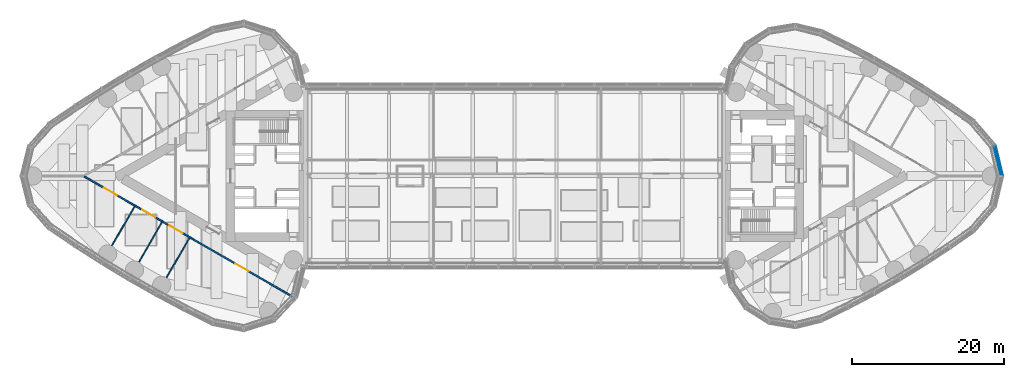
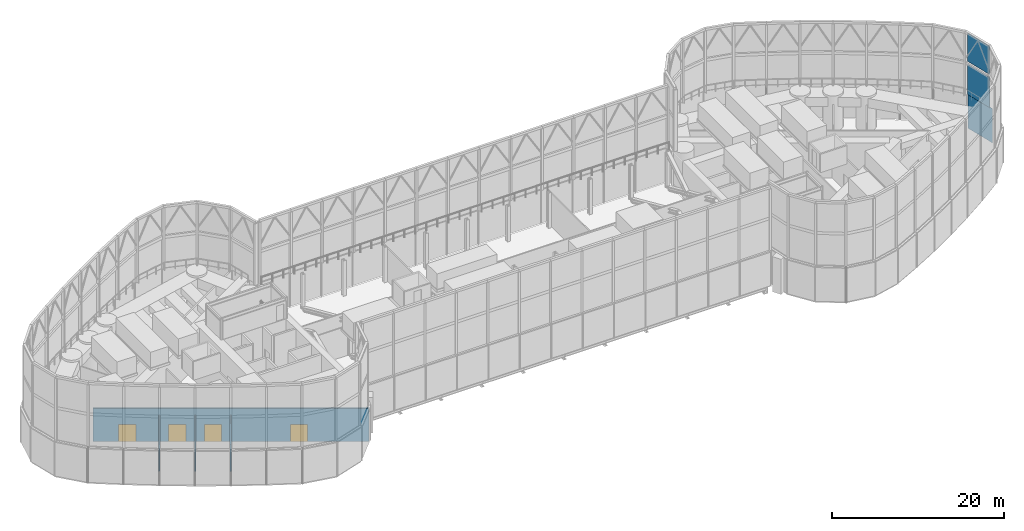
# One storey, part 26 of 33: 4 doors, 4 walls, 3 plates, 4 openings, 2 elements without a shape of their own.
"""IFC4 building model written with IfcOpenShell, lengths in metres."""

from ifc_helpers import new_model, si_unit, direction, frame, frame_2d, origin, origin_2d, place, context, subcontext, project, spatial, rectangle, extrude, material, layer, layer_set, type_object, element, fill, aggregate, save


model = new_model("IFC4")

# Units and contexts
model_context = context("Model", 3, precision=1e-05, world=origin(), true_north=direction((0.0, 1.0)))
body_context = subcontext(model_context, "Body", "Model", "MODEL_VIEW")
ifc_project = project(units=[si_unit("LENGTHUNIT", "METRE"), si_unit("AREAUNIT", "SQUARE_METRE"), si_unit("VOLUMEUNIT", "CUBIC_METRE"), si_unit("PLANEANGLEUNIT", "RADIAN"), si_unit("MASSUNIT", "GRAM", prefix="KILO")], contexts=[model_context])

# Site, building, storey
site_placement = place(None, origin())
site = spatial("IfcSite", under=ifc_project, at=site_placement, CompositionType="ELEMENT")
building_placement = place(site_placement, origin())
building = spatial("IfcBuilding", under=site, at=building_placement, Name="Lancet Gate Hotel", CompositionType="ELEMENT")
storey_placement = place(building_placement, frame((0.0, 0.0, 268.300048828125)))
storey = spatial("IfcBuildingStorey", under=building, at=storey_placement, Name="L70", CompositionType="ELEMENT", Elevation=268.300048828125)

# Curtain wall, plate
ifc_material_1 = material(Name="Aluminium curtain wall", Category="aluminium")
curtain_wall_type_1 = type_object("IfcCurtainWallType", Name="Lantern crown glazing", PredefinedType="USERDEFINED", material=ifc_material_1)
curtain_wall_1_placement = place(storey_placement, origin())
curtain_wall_1 = element("IfcCurtainWall", 1, at=curtain_wall_1_placement, inside=storey, type_object=curtain_wall_type_1, Name="T2 L70 curtain wall 1", ObjectType="LANTERN GLAZING", PredefinedType="USERDEFINED")
ifc_material_2 = material(Name="Laminated low-iron glass 12-12", Category="glass")
ifc_layer_1 = layer(ifc_material_2, 0.02392578125)
ifc_layer_set_1 = layer_set([ifc_layer_1], Name="Lantern glass panel")
plate_type_1 = type_object("IfcPlateType", Name="Lantern glass panel", PredefinedType="CURTAIN_PANEL", material=ifc_layer_set_1)
plate_1_placement = place(storey_placement, frame((63.598876953125, 2.046875, 0.0), z_axis=(0.0, 0.0, 1.0), x_axis=(-0.233916001796, 0.972256809749, 0.0)))
plate_1 = element("IfcPlate", 2, at=plate_1_placement, type_object=plate_type_1, Name="T2 L70 curtain wall 1 panel 14", PredefinedType="CURTAIN_PANEL", context=body_context, shape_type="SweptSolid", body=[
    extrude(rectangle(XDim=4.1455078125, YDim=0.02392578125, at=origin_2d()), origin(), (0.0, 0.0, 1.0), 4.85009765625),
])
aggregate(curtain_wall_1, [plate_1])

# Curtain wall, plates
ifc_material_3 = material(Name="Steel framed lantern screen", Category="steel")
curtain_wall_type_2 = type_object("IfcCurtainWallType", Name="Lantern screen", PredefinedType="USERDEFINED", material=ifc_material_3)
curtain_wall_2_placement = place(storey_placement, origin())
curtain_wall_2 = element("IfcCurtainWall", 3, at=curtain_wall_2_placement, inside=storey, type_object=curtain_wall_type_2, Name="T2 lantern screen 1", ObjectType="LANTERN SCREEN", PredefinedType="USERDEFINED")
ifc_material_4 = material(Name="Laminated low-iron glass 12-12", Category="glass")
ifc_layer_2 = layer(ifc_material_4, 0.02392578125)
ifc_layer_set_2 = layer_set([ifc_layer_2], Name="Lantern screen glass panel")
plate_type_2 = type_object("IfcPlateType", Name="Lantern screen glass panel", PredefinedType="CURTAIN_PANEL", material=ifc_layer_set_2)
plate_2_placement = place(storey_placement, frame((63.35595703125, 1.98828125, 5.0), z_axis=(0.0, 0.0, 1.0), x_axis=(-0.233916001796, 0.972256809749, 0.0)))
plate_2 = element("IfcPlate", 4, at=plate_2_placement, type_object=plate_type_2, Name="T2 lantern screen 1 glass 14L", PredefinedType="CURTAIN_PANEL", context=body_context, shape_type="SweptSolid", body=[
    extrude(rectangle(XDim=3.787353515625, YDim=0.02392578125, at=origin_2d()), origin(), (0.0, 0.0, 1.0), 4.300048828125),
])
plate_3_placement = place(storey_placement, frame((63.35595703125, 1.98828125, 9.699951171875), z_axis=(0.0, 0.0, 1.0), x_axis=(-0.233916001796, 0.972256809749, 0.0)))
plate_3 = element("IfcPlate", 5, at=plate_3_placement, type_object=plate_type_2, Name="T2 lantern screen 1 glass 14U", PredefinedType="CURTAIN_PANEL", context=body_context, shape_type="SweptSolid", body=[
    extrude(rectangle(XDim=3.787353515625, YDim=0.02392578125, at=origin_2d()), origin(), (0.0, 0.0, 1.0), 4.0),
])
aggregate(curtain_wall_2, [plate_2, plate_3])

# Wall, openings, doors
ifc_material_5 = material(Name="Gypsum board partition")
ifc_layer_3 = layer(ifc_material_5, 0.199951171875)
ifc_layer_set_3 = layer_set([ifc_layer_3], Name="Corridor wall 200")
wall_type_1 = type_object("IfcWallType", Name="Corridor wall 200", PredefinedType="PARTITIONING", material=ifc_layer_set_3)
wall_1_placement = place(storey_placement, frame((-28.737060546875, -16.068359375, 0.0), z_axis=(0.0, 0.0, 1.0), x_axis=(-0.866026220747, 0.499998584977, 0.0)))
wall_1 = element("IfcWall", 6, at=wall_1_placement, inside=storey, type_object=wall_type_1, Name="T1 corridor wall 200 L70", PredefinedType="PARTITIONING", context=body_context, shape_type="SweptSolid", body=[
    extrude(rectangle(XDim=32.0166015625, YDim=0.199951171875, at=frame_2d((16.00830078125, 0.0))), origin(), (0.0, 0.0, 1.0), 4.699951171875),
])
opening_1_placement = place(wall_1_placement, frame((27.066162109375, 0.0, 0.0)))
opening_1 = element("IfcOpeningElement", 7, at=opening_1_placement, cuts=wall_1, Name="Opening T1-L70-K205", PredefinedType="OPENING", context=body_context, shape_type="SweptSolid", body=[
    extrude(rectangle(XDim=2.0, YDim=2.39990234375, at=frame_2d((1.0, 1.199951171875))), frame((0.0, 0.10986328125, 0.0), z_axis=(0.0, -1.0, 0.0), x_axis=(1.0, 0.0, 0.0)), (0.0, 0.0, 1.0), 0.219970703125),
])
opening_2_placement = place(wall_1_placement, frame((21.26611328125, 0.0, 0.0)))
opening_2 = element("IfcOpeningElement", 8, at=opening_2_placement, cuts=wall_1, Name="Opening T1-L70-K206", PredefinedType="OPENING", context=body_context, shape_type="SweptSolid", body=[
    extrude(rectangle(XDim=2.0, YDim=2.39990234375, at=frame_2d((1.0, 1.199951171875))), frame((0.0, 0.10986328125, 0.0), z_axis=(0.0, -1.0, 0.0), x_axis=(1.0, 0.0, 0.0)), (0.0, 0.0, 1.0), 0.219970703125),
])
opening_3_placement = place(wall_1_placement, frame((17.117431640625, 0.0, 0.0)))
opening_3 = element("IfcOpeningElement", 9, at=opening_3_placement, cuts=wall_1, Name="Opening T1-L70-K207", PredefinedType="OPENING", context=body_context, shape_type="SweptSolid", body=[
    extrude(rectangle(XDim=2.0, YDim=2.39990234375, at=frame_2d((1.0, 1.199951171875))), frame((0.0, 0.10986328125, 0.0), z_axis=(0.0, -1.0, 0.0), x_axis=(1.0, 0.0, 0.0)), (0.0, 0.0, 1.0), 0.219970703125),
])
opening_4_placement = place(wall_1_placement, frame((7.1337890625, 0.0, 0.0)))
opening_4 = element("IfcOpeningElement", 10, at=opening_4_placement, cuts=wall_1, Name="Opening T1-L70-K208", PredefinedType="OPENING", context=body_context, shape_type="SweptSolid", body=[
    extrude(rectangle(XDim=2.0, YDim=2.39990234375, at=frame_2d((1.0, 1.199951171875))), frame((0.0, 0.10986328125, 0.0), z_axis=(0.0, -1.0, 0.0), x_axis=(1.0, 0.0, 0.0)), (0.0, 0.0, 1.0), 0.219970703125),
])
ifc_material_6 = material(Name="Timber door set", Category="wood")
door_type = type_object("IfcDoorType", Name="Plant room double door 2000", OperationType="DOUBLE_DOOR_SINGLE_SWING", PredefinedType="DOOR", material=ifc_material_6)
door_1_placement = place(opening_1_placement, origin())
door_1 = element("IfcDoor", 11, at=door_1_placement, inside=storey, type_object=door_type, Name="T1-L70-K205", OperationType="DOUBLE_DOOR_SINGLE_SWING", OverallHeight=2.39990234375, OverallWidth=2.0, PredefinedType="DOOR", context=body_context, shape_type="SweptSolid", body=[
    extrude(rectangle(XDim=2.0, YDim=2.39990234375, at=frame_2d((1.0, 1.199951171875))), frame((0.0, 0.02490234375, 0.0), z_axis=(0.0, -1.0, 0.0), x_axis=(1.0, 0.0, 0.0)), (0.0, 0.0, 1.0), 0.050048828125),
])
fill(opening_1, door_1)
door_2_placement = place(opening_2_placement, origin())
door_2 = element("IfcDoor", 12, at=door_2_placement, inside=storey, type_object=door_type, Name="T1-L70-K206", OperationType="DOUBLE_DOOR_SINGLE_SWING", OverallHeight=2.39990234375, OverallWidth=2.0, PredefinedType="DOOR", context=body_context, shape_type="SweptSolid", body=[
    extrude(rectangle(XDim=2.0, YDim=2.39990234375, at=frame_2d((1.0, 1.199951171875))), frame((0.0, 0.02490234375, 0.0), z_axis=(0.0, -1.0, 0.0), x_axis=(1.0, 0.0, 0.0)), (0.0, 0.0, 1.0), 0.050048828125),
])
fill(opening_2, door_2)
door_3_placement = place(opening_3_placement, origin())
door_3 = element("IfcDoor", 13, at=door_3_placement, inside=storey, type_object=door_type, Name="T1-L70-K207", OperationType="DOUBLE_DOOR_SINGLE_SWING", OverallHeight=2.39990234375, OverallWidth=2.0, PredefinedType="DOOR", context=body_context, shape_type="SweptSolid", body=[
    extrude(rectangle(XDim=2.0, YDim=2.39990234375, at=frame_2d((1.0, 1.199951171875))), frame((0.0, 0.02490234375, 0.0), z_axis=(0.0, -1.0, 0.0), x_axis=(1.0, 0.0, 0.0)), (0.0, 0.0, 1.0), 0.050048828125),
])
fill(opening_3, door_3)
door_4_placement = place(opening_4_placement, origin())
door_4 = element("IfcDoor", 14, at=door_4_placement, inside=storey, type_object=door_type, Name="T1-L70-K208", OperationType="DOUBLE_DOOR_SINGLE_SWING", OverallHeight=2.39990234375, OverallWidth=2.0, PredefinedType="DOOR", context=body_context, shape_type="SweptSolid", body=[
    extrude(rectangle(XDim=2.0, YDim=2.39990234375, at=frame_2d((1.0, 1.199951171875))), frame((0.0, 0.02490234375, 0.0), z_axis=(0.0, -1.0, 0.0), x_axis=(1.0, 0.0, 0.0)), (0.0, 0.0, 1.0), 0.050048828125),
])
fill(opening_4, door_4)

# Walls
ifc_material_7 = material(Name="Gypsum board partition")
ifc_layer_4 = layer(ifc_material_7, 0.14990234375)
ifc_layer_set_4 = layer_set([ifc_layer_4], Name="Party wall 150")
wall_type_2 = type_object("IfcWallType", Name="Party wall 150", PredefinedType="PARTITIONING", material=ifc_layer_set_4)
wall_2_placement = place(storey_placement, frame((-42.680419921875, -8.133544921875, 0.0), z_axis=(0.0, 0.0, 1.0), x_axis=(-0.499984479505, -0.866034364361, 0.0)))
element("IfcWall", 15, at=wall_2_placement, inside=storey, type_object=wall_type_2, Name="T1 party wall 150 L70", PredefinedType="PARTITIONING", context=body_context, shape_type="SweptSolid", body=[
    extrude(rectangle(XDim=5.995361328125, YDim=0.14990234375, at=frame_2d((2.99755859375, 0.0))), origin(), (0.0, 0.0, 1.0), 3.800048828125),
])
wall_3_placement = place(storey_placement, frame((-46.273681640625, -6.05908203125, 0.0), z_axis=(0.0, 0.0, 1.0), x_axis=(-0.500020471368, -0.866013584312, 0.0)))
element("IfcWall", 16, at=wall_3_placement, inside=storey, type_object=wall_type_2, Name="T1 party wall 150 L70", PredefinedType="PARTITIONING", context=body_context, shape_type="SweptSolid", body=[
    extrude(rectangle(XDim=6.027587890625, YDim=0.14990234375, at=frame_2d((3.013671875, 0.0))), origin(), (0.0, 0.0, 1.0), 3.800048828125),
])
wall_4_placement = place(storey_placement, frame((-49.866455078125, -3.98486328125, 0.0), z_axis=(0.0, 0.0, 1.0), x_axis=(-0.500000694566, -0.866025002776, 0.0)))
element("IfcWall", 17, at=wall_4_placement, inside=storey, type_object=wall_type_2, Name="T1 party wall 150 L70", PredefinedType="PARTITIONING", context=body_context, shape_type="SweptSolid", body=[
    extrude(rectangle(XDim=5.94970703125, YDim=0.14990234375, at=frame_2d((2.974853515625, 0.0))), origin(), (0.0, 0.0, 1.0), 3.800048828125),
])

save(model, "model.ifc")
